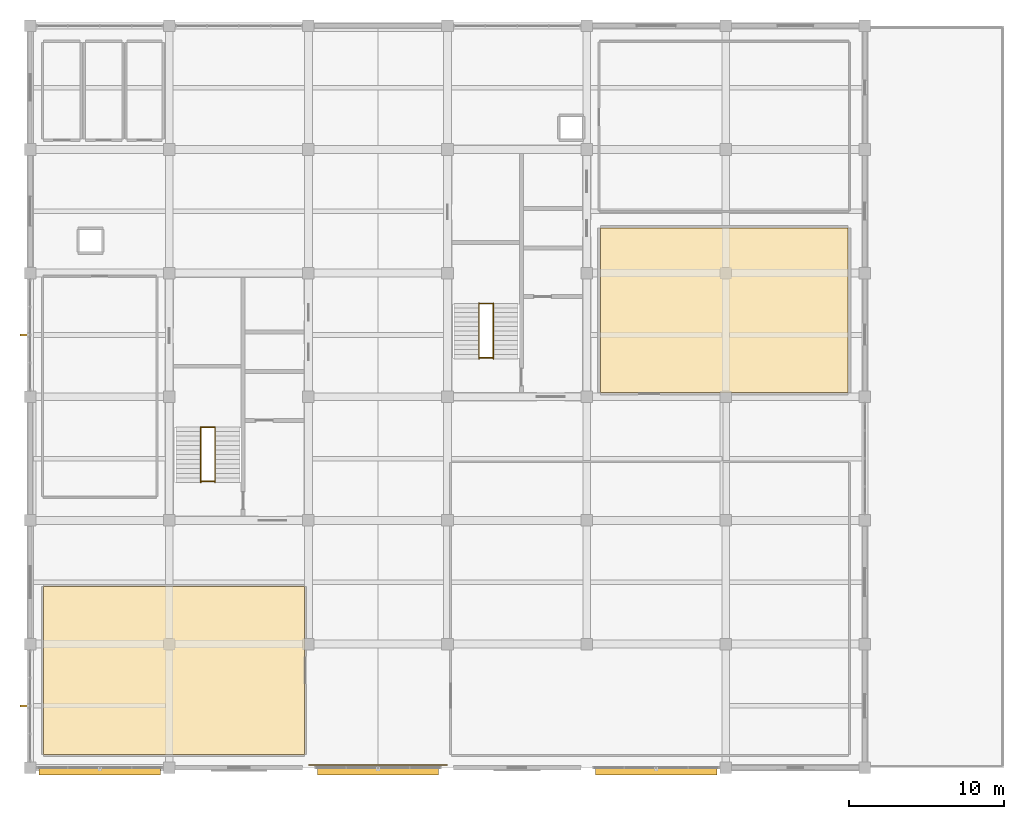
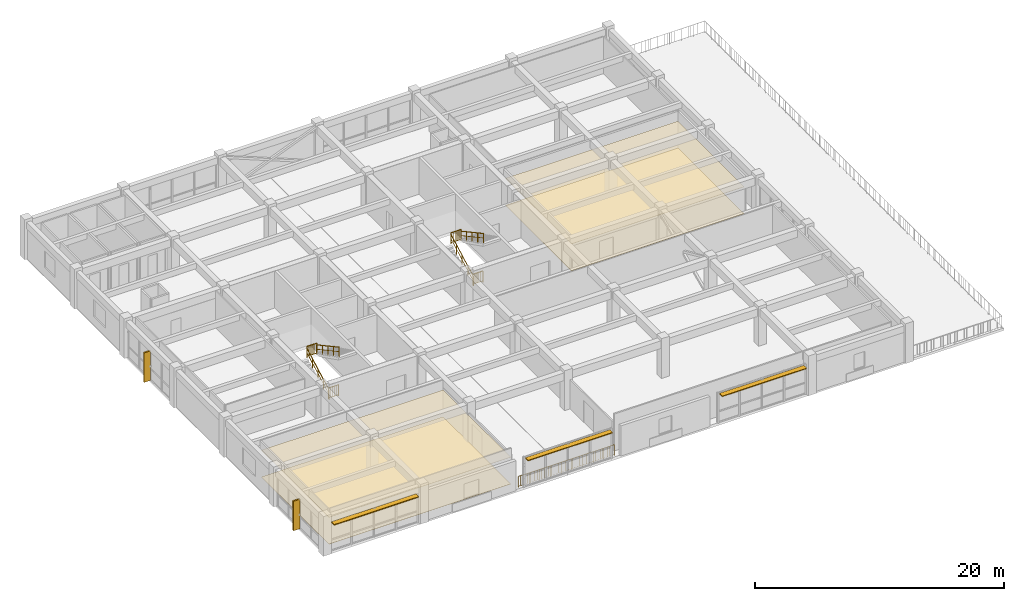
# One storey, part 15 of 15: 9 railings, 5 shading devices, 4 coverings.
"""IFC4 building model written with IfcOpenShell, lengths in metres."""

from ifc_helpers import new_model, si_unit, direction, frame, frame_2d, origin, origin_2d, place, context, subcontext, project, spatial, polyline, rectangle, circle, outline, extrude, material, layer, layer_set, type_object, element, save


model = new_model("IFC4")

# Units and contexts
model_context = context("Model", 3, precision=1e-05, world=origin(), true_north=direction((0.0, 1.0)))
body_context = subcontext(model_context, "Body", "Model", "MODEL_VIEW")
ifc_project = project(units=[si_unit("LENGTHUNIT", "METRE"), si_unit("AREAUNIT", "SQUARE_METRE"), si_unit("VOLUMEUNIT", "CUBIC_METRE"), si_unit("PLANEANGLEUNIT", "RADIAN"), si_unit("MASSUNIT", "GRAM", prefix="KILO")], contexts=[model_context])

# Site, building, storey
site_placement = place(None, origin())
site = spatial("IfcSite", under=ifc_project, at=site_placement, CompositionType="ELEMENT")
building_placement = place(site_placement, origin())
building = spatial("IfcBuilding", under=site, at=building_placement, Name="Zaverband Oceanarium and Marine Research Institute", CompositionType="ELEMENT")
storey_placement = place(building_placement, frame((0.0, 0.0, 45.300048828125)))
storey = spatial("IfcBuildingStorey", under=building, at=storey_placement, Name="L11", CompositionType="ELEMENT", Elevation=45.300048828125)

# Coverings
ifc_material_1 = material(Name="Perforated mineral-fibre acoustic ceiling tile")
ifc_layer_1 = layer(ifc_material_1, 0.02490234375, Name="Perforated mineral-fibre acoustic ceiling tile")
ifc_layer_set_1 = layer_set([ifc_layer_1], Name="Perforated mineral-fibre acoustic ceiling tile")
covering_type_1 = type_object("IfcCoveringType", Name="CLG-AC-15", PredefinedType="CEILING", material=ifc_layer_set_1)
covering_1_placement = place(storey_placement, frame((0.0, 0.0, 2.6298828125)))
element("IfcCovering", 1, at=covering_1_placement, inside=storey, type_object=covering_type_1, Name="Suspended acoustic ceiling CLG-AC-15", PredefinedType="CEILING", context=body_context, shape_type="SweptSolid", body=[
    extrude(outline(polyline([(9.864990234375, 64.864990234375), (26.735107421875, 64.864990234375), (26.735107421875, 75.735107421875), (9.864990234375, 75.735107421875), (9.864990234375, 64.864990234375)])), origin(), (0.0, 0.0, 1.0), 0.025146484375),
])
covering_2_placement = place(storey_placement, frame((0.0, 0.0, 2.6298828125)))
element("IfcCovering", 2, at=covering_2_placement, inside=storey, type_object=covering_type_1, Name="Suspended acoustic ceiling CLG-AC-15", PredefinedType="CEILING", context=body_context, shape_type="SweptSolid", body=[
    extrude(outline(polyline([(45.889892578125, 88.2900390625), (61.909912109375, 88.2900390625), (61.909912109375, 98.909912109375), (45.889892578125, 98.909912109375), (45.889892578125, 88.2900390625)])), origin(), (0.0, 0.0, 1.0), 0.025146484375),
])
ifc_material_2 = material(Name="Polished marine terrazzo and seamless laboratory epoxy flooring")
ifc_layer_2 = layer(ifc_material_2, 0.02490234375, Name="Polished marine terrazzo and seamless laboratory epoxy flooring")
ifc_layer_set_2 = layer_set([ifc_layer_2], Name="Polished marine terrazzo and seamless laboratory epoxy flooring")
covering_type_2 = type_object("IfcCoveringType", Name="FLR-TRZ-20", PredefinedType="FLOORING", material=ifc_layer_set_2)
covering_3_placement = place(storey_placement, origin())
element("IfcCovering", 3, at=covering_3_placement, inside=storey, type_object=covering_type_2, Name="Terrazzo and marine epoxy floor finish FLR-TRZ-20", PredefinedType="FLOORING", context=body_context, shape_type="SweptSolid", body=[
    extrude(outline(polyline([(9.864990234375, 64.864990234375), (26.735107421875, 64.864990234375), (26.735107421875, 75.735107421875), (9.864990234375, 75.735107421875), (9.864990234375, 64.864990234375)])), origin(), (0.0, 0.0, 1.0), 0.02490234375),
])
covering_4_placement = place(storey_placement, origin())
element("IfcCovering", 4, at=covering_4_placement, inside=storey, type_object=covering_type_2, Name="Terrazzo and marine epoxy floor finish FLR-TRZ-20", PredefinedType="FLOORING", context=body_context, shape_type="SweptSolid", body=[
    extrude(outline(polyline([(45.889892578125, 88.2900390625), (61.909912109375, 88.2900390625), (61.909912109375, 98.909912109375), (45.889892578125, 98.909912109375), (45.889892578125, 88.2900390625)])), origin(), (0.0, 0.0, 1.0), 0.02490234375),
])

# Railings
ifc_material_3 = material(Name="Steel S355", Category="steel")
ifc_layer_3 = layer(ifc_material_3, 0.06005859375, Name="Steel S355")
ifc_layer_set_3 = layer_set([ifc_layer_3], Name="Steel S355")
railing_type_1 = type_object("IfcRailingType", Name="GRD-1100", PredefinedType="BALUSTRADE", material=ifc_layer_set_3)
for number, where, name in (
    (5, (20.0400390625, 86.030029296875, 1.949951171875), "1100 mm steel post-and-baluster safety guard GRD-1100"),
    (6, (20.0400390625, 82.530029296875, 0.0), "1100 mm steel post-and-baluster safety guard GRD-1100"),
    (7, (38.0400390625, 94.030029296875, 1.949951171875), "1100 mm steel post-and-baluster safety guard GRD-1100"),
    (8, (38.0400390625, 90.530029296875, 0.0), "1100 mm steel post-and-baluster safety guard GRD-1100"),
):
    element("IfcRailing", number, at=place(storey_placement, frame(where)), inside=storey, type_object=railing_type_1, Name=name, PredefinedType="BALUSTRADE", context=body_context, shape_type="SweptSolid", body=[
        extrude(circle(Radius=0.02392578125, at=origin_2d()), frame((0.0, 0.0, 1.076171875), z_axis=(1.0, 0.0, 0.0), x_axis=(0.0, 1.0, 0.0)), (0.0, 0.0, 1.0), 0.919921875),
        extrude(circle(Radius=0.009033203125, at=origin_2d()), frame((0.0, 0.0, 0.10009765625), z_axis=(1.0, 0.0, 0.0), x_axis=(0.0, 1.0, 0.0)), (0.0, 0.0, 1.0), 0.919921875),
        extrude(circle(Radius=0.009033203125, at=origin_2d()), frame((0.18408203125, 0.0, 0.10009765625)), (0.0, 0.0, 1.0), 0.951904296875),
        extrude(circle(Radius=0.009033203125, at=origin_2d()), frame((0.367919921875, 0.0, 0.10009765625)), (0.0, 0.0, 1.0), 0.951904296875),
        extrude(circle(Radius=0.009033203125, at=origin_2d()), frame((0.552001953125, 0.0, 0.10009765625)), (0.0, 0.0, 1.0), 0.951904296875),
        extrude(circle(Radius=0.009033203125, at=origin_2d()), frame((0.73583984375, 0.0, 0.10009765625)), (0.0, 0.0, 1.0), 0.951904296875),
        extrude(circle(Radius=0.02099609375, at=origin_2d()), origin(), (0.0, 0.0, 1.0), 1.052001953125),
        extrude(circle(Radius=0.02099609375, at=origin_2d()), frame((0.919921875, 0.0, 0.0)), (0.0, 0.0, 1.0), 1.052001953125),
    ])
railing_1_placement = place(storey_placement, frame((27.050048828125, 64.179931640625, 0.0)))
element("IfcRailing", 9, at=railing_1_placement, inside=storey, type_object=railing_type_1, Name="1100 mm steel post-and-baluster safety guard GRD-1100", PredefinedType="BALUSTRADE", context=body_context, shape_type="SweptSolid", body=[
    extrude(circle(Radius=0.02392578125, at=origin_2d()), frame((0.0, 0.0, 1.076171875), z_axis=(1.0, 0.0, 0.0), x_axis=(0.0, 1.0, 0.0)), (0.0, 0.0, 1.0), 8.89990234375),
    extrude(circle(Radius=0.009033203125, at=origin_2d()), frame((0.0, 0.0, 0.10009765625), z_axis=(1.0, 0.0, 0.0), x_axis=(0.0, 1.0, 0.0)), (0.0, 0.0, 1.0), 8.89990234375),
    extrude(circle(Radius=0.009033203125, at=origin_2d()), frame((0.217041015625, 0.0, 0.10009765625)), (0.0, 0.0, 1.0), 0.951904296875),
    extrude(circle(Radius=0.009033203125, at=origin_2d()), frame((0.43408203125, 0.0, 0.10009765625)), (0.0, 0.0, 1.0), 0.951904296875),
    extrude(circle(Radius=0.009033203125, at=origin_2d()), frame((0.651123046875, 0.0, 0.10009765625)), (0.0, 0.0, 1.0), 0.951904296875),
    extrude(circle(Radius=0.009033203125, at=origin_2d()), frame((0.8681640625, 0.0, 0.10009765625)), (0.0, 0.0, 1.0), 0.951904296875),
    extrude(circle(Radius=0.009033203125, at=origin_2d()), frame((1.08544921875, 0.0, 0.10009765625)), (0.0, 0.0, 1.0), 0.951904296875),
    extrude(circle(Radius=0.009033203125, at=origin_2d()), frame((1.302490234375, 0.0, 0.10009765625)), (0.0, 0.0, 1.0), 0.951904296875),
    extrude(circle(Radius=0.009033203125, at=origin_2d()), frame((1.51953125, 0.0, 0.10009765625)), (0.0, 0.0, 1.0), 0.951904296875),
    extrude(circle(Radius=0.009033203125, at=origin_2d()), frame((1.736572265625, 0.0, 0.10009765625)), (0.0, 0.0, 1.0), 0.951904296875),
    extrude(circle(Radius=0.009033203125, at=origin_2d()), frame((1.95361328125, 0.0, 0.10009765625)), (0.0, 0.0, 1.0), 0.951904296875),
    extrude(circle(Radius=0.009033203125, at=origin_2d()), frame((2.170654296875, 0.0, 0.10009765625)), (0.0, 0.0, 1.0), 0.951904296875),
    extrude(circle(Radius=0.009033203125, at=origin_2d()), frame((2.3876953125, 0.0, 0.10009765625)), (0.0, 0.0, 1.0), 0.951904296875),
    extrude(circle(Radius=0.009033203125, at=origin_2d()), frame((2.604736328125, 0.0, 0.10009765625)), (0.0, 0.0, 1.0), 0.951904296875),
    extrude(circle(Radius=0.009033203125, at=origin_2d()), frame((2.822021484375, 0.0, 0.10009765625)), (0.0, 0.0, 1.0), 0.951904296875),
    extrude(circle(Radius=0.009033203125, at=origin_2d()), frame((3.0390625, 0.0, 0.10009765625)), (0.0, 0.0, 1.0), 0.951904296875),
    extrude(circle(Radius=0.009033203125, at=origin_2d()), frame((3.256103515625, 0.0, 0.10009765625)), (0.0, 0.0, 1.0), 0.951904296875),
    extrude(circle(Radius=0.009033203125, at=origin_2d()), frame((3.47314453125, 0.0, 0.10009765625)), (0.0, 0.0, 1.0), 0.951904296875),
    extrude(circle(Radius=0.009033203125, at=origin_2d()), frame((3.690185546875, 0.0, 0.10009765625)), (0.0, 0.0, 1.0), 0.951904296875),
    extrude(circle(Radius=0.009033203125, at=origin_2d()), frame((3.9072265625, 0.0, 0.10009765625)), (0.0, 0.0, 1.0), 0.951904296875),
    extrude(circle(Radius=0.009033203125, at=origin_2d()), frame((4.124267578125, 0.0, 0.10009765625)), (0.0, 0.0, 1.0), 0.951904296875),
    extrude(circle(Radius=0.009033203125, at=origin_2d()), frame((4.34130859375, 0.0, 0.10009765625)), (0.0, 0.0, 1.0), 0.951904296875),
    extrude(circle(Radius=0.009033203125, at=origin_2d()), frame((4.55859375, 0.0, 0.10009765625)), (0.0, 0.0, 1.0), 0.951904296875),
    extrude(circle(Radius=0.009033203125, at=origin_2d()), frame((4.775634765625, 0.0, 0.10009765625)), (0.0, 0.0, 1.0), 0.951904296875),
    extrude(circle(Radius=0.009033203125, at=origin_2d()), frame((4.99267578125, 0.0, 0.10009765625)), (0.0, 0.0, 1.0), 0.951904296875),
    extrude(circle(Radius=0.009033203125, at=origin_2d()), frame((5.209716796875, 0.0, 0.10009765625)), (0.0, 0.0, 1.0), 0.951904296875),
    extrude(circle(Radius=0.009033203125, at=origin_2d()), frame((5.4267578125, 0.0, 0.10009765625)), (0.0, 0.0, 1.0), 0.951904296875),
    extrude(circle(Radius=0.009033203125, at=origin_2d()), frame((5.643798828125, 0.0, 0.10009765625)), (0.0, 0.0, 1.0), 0.951904296875),
    extrude(circle(Radius=0.009033203125, at=origin_2d()), frame((5.86083984375, 0.0, 0.10009765625)), (0.0, 0.0, 1.0), 0.951904296875),
    extrude(circle(Radius=0.009033203125, at=origin_2d()), frame((6.077880859375, 0.0, 0.10009765625)), (0.0, 0.0, 1.0), 0.951904296875),
    extrude(circle(Radius=0.009033203125, at=origin_2d()), frame((6.295166015625, 0.0, 0.10009765625)), (0.0, 0.0, 1.0), 0.951904296875),
    extrude(circle(Radius=0.009033203125, at=origin_2d()), frame((6.51220703125, 0.0, 0.10009765625)), (0.0, 0.0, 1.0), 0.951904296875),
    extrude(circle(Radius=0.009033203125, at=origin_2d()), frame((6.729248046875, 0.0, 0.10009765625)), (0.0, 0.0, 1.0), 0.951904296875),
    extrude(circle(Radius=0.009033203125, at=origin_2d()), frame((6.9462890625, 0.0, 0.10009765625)), (0.0, 0.0, 1.0), 0.951904296875),
    extrude(circle(Radius=0.009033203125, at=origin_2d()), frame((7.163330078125, 0.0, 0.10009765625)), (0.0, 0.0, 1.0), 0.951904296875),
    extrude(circle(Radius=0.009033203125, at=origin_2d()), frame((7.38037109375, 0.0, 0.10009765625)), (0.0, 0.0, 1.0), 0.951904296875),
    extrude(circle(Radius=0.009033203125, at=origin_2d()), frame((7.597412109375, 0.0, 0.10009765625)), (0.0, 0.0, 1.0), 0.951904296875),
    extrude(circle(Radius=0.009033203125, at=origin_2d()), frame((7.814453125, 0.0, 0.10009765625)), (0.0, 0.0, 1.0), 0.951904296875),
    extrude(circle(Radius=0.009033203125, at=origin_2d()), frame((8.03173828125, 0.0, 0.10009765625)), (0.0, 0.0, 1.0), 0.951904296875),
    extrude(circle(Radius=0.009033203125, at=origin_2d()), frame((8.248779296875, 0.0, 0.10009765625)), (0.0, 0.0, 1.0), 0.951904296875),
    extrude(circle(Radius=0.009033203125, at=origin_2d()), frame((8.4658203125, 0.0, 0.10009765625)), (0.0, 0.0, 1.0), 0.951904296875),
    extrude(circle(Radius=0.009033203125, at=origin_2d()), frame((8.682861328125, 0.0, 0.10009765625)), (0.0, 0.0, 1.0), 0.951904296875),
    extrude(circle(Radius=0.02099609375, at=origin_2d()), origin(), (0.0, 0.0, 1.0), 1.052001953125),
    extrude(circle(Radius=0.02099609375, at=origin_2d()), frame((0.98876953125, 0.0, 0.0)), (0.0, 0.0, 1.0), 1.052001953125),
    extrude(circle(Radius=0.02099609375, at=origin_2d()), frame((1.977783203125, 0.0, 0.0)), (0.0, 0.0, 1.0), 1.052001953125),
    extrude(circle(Radius=0.02099609375, at=origin_2d()), frame((2.966552734375, 0.0, 0.0)), (0.0, 0.0, 1.0), 1.052001953125),
    extrude(circle(Radius=0.02099609375, at=origin_2d()), frame((3.95556640625, 0.0, 0.0)), (0.0, 0.0, 1.0), 1.052001953125),
    extrude(circle(Radius=0.02099609375, at=origin_2d()), frame((4.9443359375, 0.0, 0.0)), (0.0, 0.0, 1.0), 1.052001953125),
    extrude(circle(Radius=0.02099609375, at=origin_2d()), frame((5.933349609375, 0.0, 0.0)), (0.0, 0.0, 1.0), 1.052001953125),
    extrude(circle(Radius=0.02099609375, at=origin_2d()), frame((6.922119140625, 0.0, 0.0)), (0.0, 0.0, 1.0), 1.052001953125),
    extrude(circle(Radius=0.02099609375, at=origin_2d()), frame((7.9111328125, 0.0, 0.0)), (0.0, 0.0, 1.0), 1.052001953125),
    extrude(circle(Radius=0.02099609375, at=origin_2d()), frame((8.89990234375, 0.0, 0.0)), (0.0, 0.0, 1.0), 1.052001953125),
])
ifc_layer_4 = layer(ifc_material_3, 0.050048828125, Name="Steel S355")
ifc_layer_set_4 = layer_set([ifc_layer_4], Name="Steel S355")
railing_type_2 = type_object("IfcRailingType", Name="HR-920", PredefinedType="HANDRAIL", material=ifc_layer_set_4)
railing_2_placement = place(storey_placement, frame((20.0400390625, 82.449951171875, 0.0)))
element("IfcRailing", 10, at=railing_2_placement, inside=storey, type_object=railing_type_2, Name="920 mm continuous tubular stair and ramp handrail HR-920", PredefinedType="HANDRAIL", context=body_context, shape_type="SweptSolid", body=[
    extrude(circle(Radius=0.02392578125, at=origin_2d()), frame((0.0, 0.0, 0.89599609375), z_axis=(0.0, 0.879302371543, 0.476263938798), x_axis=(-1.0, 0.0, 0.0)), (0.0, 0.0, 1.0), 4.09423828125),
    extrude(circle(Radius=0.009033203125, at=origin_2d()), frame((0.0, 0.0, 0.4599609375), z_axis=(0.0, 0.879302371543, 0.476263938798), x_axis=(-1.0, 0.0, 0.0)), (0.0, 0.0, 1.0), 4.09423828125),
    extrude(circle(Radius=0.02099609375, at=origin_2d()), origin(), (0.0, 0.0, 1.0), 0.871826171875),
    extrude(circle(Radius=0.02099609375, at=origin_2d()), frame((0.0, 0.89990234375, 0.487548828125)), (0.0, 0.0, 1.0), 0.871826171875),
    extrude(circle(Radius=0.02099609375, at=origin_2d()), frame((0.0, 1.800048828125, 0.97509765625)), (0.0, 0.0, 1.0), 0.871826171875),
    extrude(circle(Radius=0.02099609375, at=origin_2d()), frame((0.0, 2.7001953125, 1.46240234375)), (0.0, 0.0, 1.0), 0.871826171875),
    extrude(circle(Radius=0.02099609375, at=origin_2d()), frame((0.0, 3.60009765625, 1.949951171875)), (0.0, 0.0, 1.0), 0.871826171875),
])
railing_3_placement = place(storey_placement, frame((20.9599609375, 86.050048828125, 1.949951171875)))
element("IfcRailing", 11, at=railing_3_placement, inside=storey, type_object=railing_type_2, Name="920 mm continuous tubular stair and ramp handrail HR-920", PredefinedType="HANDRAIL", context=body_context, shape_type="SweptSolid", body=[
    extrude(circle(Radius=0.02392578125, at=origin_2d()), frame((0.0, 0.0, 0.89599609375), z_axis=(0.0, -0.879302371543, 0.476263938798), x_axis=(1.0, 0.0, 0.0)), (0.0, 0.0, 1.0), 4.09423828125),
    extrude(circle(Radius=0.009033203125, at=origin_2d()), frame((0.0, 0.0, 0.4599609375), z_axis=(0.0, -0.879302371543, 0.476263938798), x_axis=(1.0, 0.0, 0.0)), (0.0, 0.0, 1.0), 4.09423828125),
    extrude(circle(Radius=0.02099609375, at=origin_2d()), origin(), (0.0, 0.0, 1.0), 0.871826171875),
    extrude(circle(Radius=0.02099609375, at=origin_2d()), frame((0.0, -0.89990234375, 0.487548828125)), (0.0, 0.0, 1.0), 0.871826171875),
    extrude(circle(Radius=0.02099609375, at=origin_2d()), frame((0.0, -1.800048828125, 0.97509765625)), (0.0, 0.0, 1.0), 0.871826171875),
    extrude(circle(Radius=0.02099609375, at=origin_2d()), frame((0.0, -2.7001953125, 1.46240234375)), (0.0, 0.0, 1.0), 0.871826171875),
    extrude(circle(Radius=0.02099609375, at=origin_2d()), frame((0.0, -3.60009765625, 1.949951171875)), (0.0, 0.0, 1.0), 0.871826171875),
])
railing_4_placement = place(storey_placement, frame((38.0400390625, 90.449951171875, 0.0)))
element("IfcRailing", 12, at=railing_4_placement, inside=storey, type_object=railing_type_2, Name="920 mm continuous tubular stair and ramp handrail HR-920", PredefinedType="HANDRAIL", context=body_context, shape_type="SweptSolid", body=[
    extrude(circle(Radius=0.02392578125, at=origin_2d()), frame((0.0, 0.0, 0.89599609375), z_axis=(0.0, 0.879302371543, 0.476263938798), x_axis=(-1.0, 0.0, 0.0)), (0.0, 0.0, 1.0), 4.09423828125),
    extrude(circle(Radius=0.009033203125, at=origin_2d()), frame((0.0, 0.0, 0.4599609375), z_axis=(0.0, 0.879302371543, 0.476263938798), x_axis=(-1.0, 0.0, 0.0)), (0.0, 0.0, 1.0), 4.09423828125),
    extrude(circle(Radius=0.02099609375, at=origin_2d()), origin(), (0.0, 0.0, 1.0), 0.871826171875),
    extrude(circle(Radius=0.02099609375, at=origin_2d()), frame((0.0, 0.89990234375, 0.487548828125)), (0.0, 0.0, 1.0), 0.871826171875),
    extrude(circle(Radius=0.02099609375, at=origin_2d()), frame((0.0, 1.800048828125, 0.97509765625)), (0.0, 0.0, 1.0), 0.871826171875),
    extrude(circle(Radius=0.02099609375, at=origin_2d()), frame((0.0, 2.7001953125, 1.46240234375)), (0.0, 0.0, 1.0), 0.871826171875),
    extrude(circle(Radius=0.02099609375, at=origin_2d()), frame((0.0, 3.60009765625, 1.949951171875)), (0.0, 0.0, 1.0), 0.871826171875),
])
railing_5_placement = place(storey_placement, frame((38.9599609375, 94.050048828125, 1.949951171875)))
element("IfcRailing", 13, at=railing_5_placement, inside=storey, type_object=railing_type_2, Name="920 mm continuous tubular stair and ramp handrail HR-920", PredefinedType="HANDRAIL", context=body_context, shape_type="SweptSolid", body=[
    extrude(circle(Radius=0.02392578125, at=origin_2d()), frame((0.0, 0.0, 0.89599609375), z_axis=(0.0, -0.879302371543, 0.476263938798), x_axis=(1.0, 0.0, 0.0)), (0.0, 0.0, 1.0), 4.09423828125),
    extrude(circle(Radius=0.009033203125, at=origin_2d()), frame((0.0, 0.0, 0.4599609375), z_axis=(0.0, -0.879302371543, 0.476263938798), x_axis=(1.0, 0.0, 0.0)), (0.0, 0.0, 1.0), 4.09423828125),
    extrude(circle(Radius=0.02099609375, at=origin_2d()), origin(), (0.0, 0.0, 1.0), 0.871826171875),
    extrude(circle(Radius=0.02099609375, at=origin_2d()), frame((0.0, -0.89990234375, 0.487548828125)), (0.0, 0.0, 1.0), 0.871826171875),
    extrude(circle(Radius=0.02099609375, at=origin_2d()), frame((0.0, -1.800048828125, 0.97509765625)), (0.0, 0.0, 1.0), 0.871826171875),
    extrude(circle(Radius=0.02099609375, at=origin_2d()), frame((0.0, -2.7001953125, 1.46240234375)), (0.0, 0.0, 1.0), 0.871826171875),
    extrude(circle(Radius=0.02099609375, at=origin_2d()), frame((0.0, -3.60009765625, 1.949951171875)), (0.0, 0.0, 1.0), 0.871826171875),
])

# Shading devices
ifc_material_4 = material(Name="Concrete C40/50 precast brise-soleil", Category="concrete")
ifc_layer_5 = layer(ifc_material_4, 0.139892578125, Name="Concrete C40/50 precast brise-soleil")
ifc_layer_set_5 = layer_set([ifc_layer_5], Name="Concrete C40/50 precast brise-soleil")
shading_device_type_1 = type_object("IfcShadingDeviceType", Name="SHD-FIN-600", PredefinedType="JALOUSIE", material=ifc_layer_set_5)
for number, where, z_axis, x_axis, name in (
    (14, (8.93994140625, 68.0, 0.0), (0.0, 0.0, 1.0), (-1.0, 0.0, 0.0), "600 mm vertical precast brise-soleil fin SHD-FIN-600"),
    (15, (8.93994140625, 92.0, 0.0), (0.0, 0.0, 1.0), (-1.0, 0.0, 0.0), "600 mm vertical precast brise-soleil fin SHD-FIN-600"),
):
    element("IfcShadingDevice", number, at=place(storey_placement, frame(where, z_axis=z_axis, x_axis=x_axis)), inside=storey, type_object=shading_device_type_1, Name=name, PredefinedType="JALOUSIE", context=body_context, shape_type="SweptSolid", body=[
        extrude(rectangle(XDim=0.599853515625, YDim=0.139892578125, at=frame_2d((0.2998046875, 0.0))), origin(), (0.0, 0.0, 1.0), 2.89990234375),
    ])
ifc_material_5 = material(Name="Anodized bronze marine-grade aluminium", Category="aluminium")
ifc_layer_6 = layer(ifc_material_5, 0.080078125, Name="Anodized bronze marine-grade aluminium")
ifc_layer_set_6 = layer_set([ifc_layer_6], Name="Anodized bronze marine-grade aluminium")
shading_device_type_2 = type_object("IfcShadingDeviceType", Name="SHD-LVR-450", PredefinedType="USERDEFINED", material=ifc_layer_set_6)
for number, where, z_axis, x_axis, name in (
    (16, (9.580078125, 63.760009765625, 2.77001953125), (0.0, 0.0, 1.0), (1.0, 0.0, 0.0), "450 mm horizontal solar shading louvre SHD-LVR-450"),
    (17, (27.580078125, 63.760009765625, 2.77001953125), (0.0, 0.0, 1.0), (1.0, 0.0, 0.0), "450 mm horizontal solar shading louvre SHD-LVR-450"),
    (18, (45.580078125, 63.760009765625, 2.77001953125), (0.0, 0.0, 1.0), (1.0, 0.0, 0.0), "450 mm horizontal solar shading louvre SHD-LVR-450"),
):
    element("IfcShadingDevice", number, at=place(storey_placement, frame(where, z_axis=z_axis, x_axis=x_axis)), inside=storey, type_object=shading_device_type_2, Name=name, ObjectType="LOUVRE", PredefinedType="USERDEFINED", context=body_context, shape_type="SweptSolid", body=[
        extrude(rectangle(XDim=7.83984375, YDim=0.449951171875, at=frame_2d((3.919921875, 0.0))), origin(), (0.0, 0.0, 1.0), 0.079833984375),
    ])

save(model, "model.ifc")
